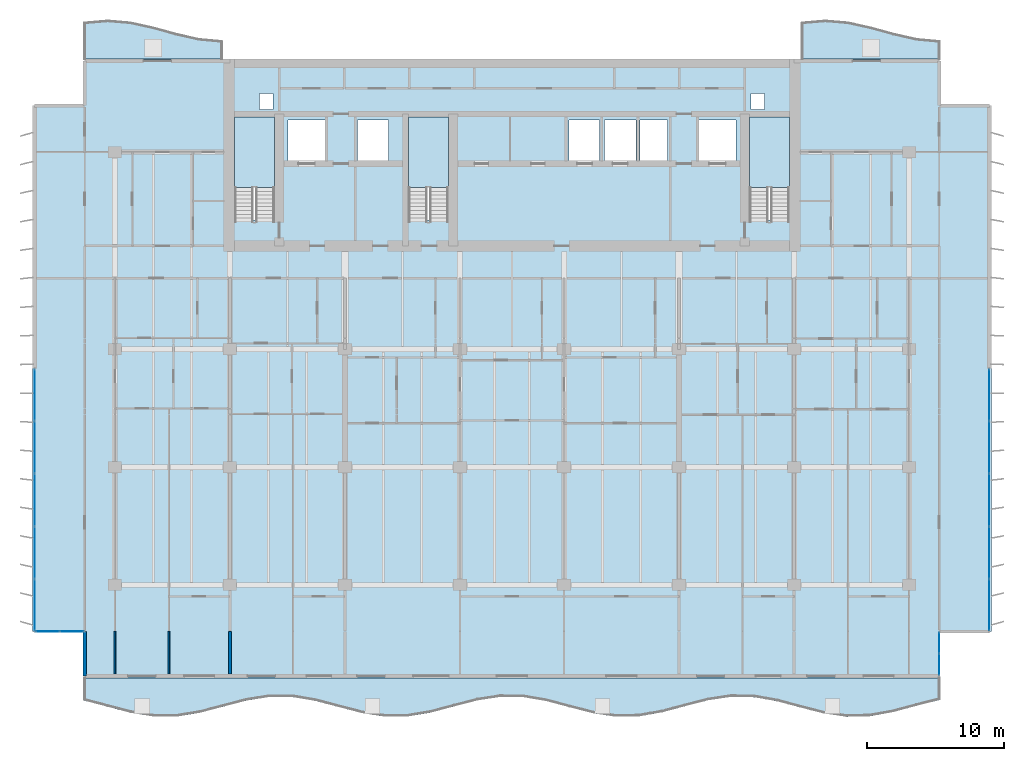
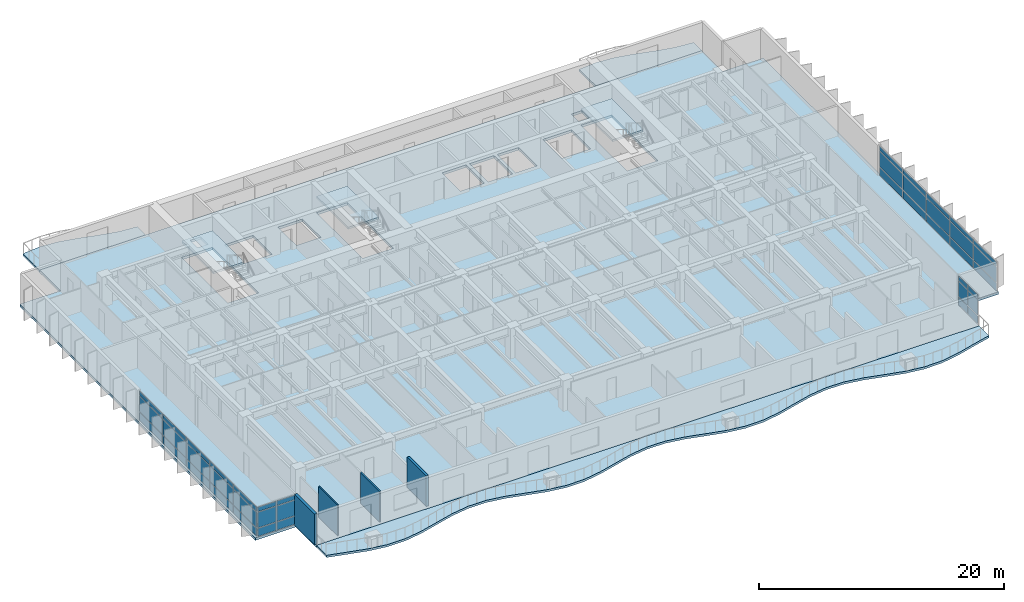
# One storey, part 5 of 17: 42 plates, 7 slabs, 4 walls, 7 elements without a shape of their own.
"""IFC4 building model written with IfcOpenShell, lengths in metres."""

from ifc_helpers import new_model, si_unit, direction, frame, frame_2d, origin, origin_2d, place, context, subcontext, project, spatial, polyline, rectangle, outline, extrude, material, layer, layer_set, type_object, element, aggregate, save


model = new_model("IFC4")

# Units and contexts
model_context = context("Model", 3, precision=1e-05, world=origin(), true_north=direction((0.0, 1.0)))
body_context = subcontext(model_context, "Body", "Model", "MODEL_VIEW")
ifc_project = project(units=[si_unit("LENGTHUNIT", "METRE"), si_unit("AREAUNIT", "SQUARE_METRE"), si_unit("VOLUMEUNIT", "CUBIC_METRE"), si_unit("PLANEANGLEUNIT", "RADIAN"), si_unit("MASSUNIT", "GRAM", prefix="KILO")], contexts=[model_context])

# Site, building, storey
site_placement = place(None, origin())
site = spatial("IfcSite", under=ifc_project, at=site_placement, CompositionType="ELEMENT")
building_placement = place(site_placement, origin())
building = spatial("IfcBuilding", under=site, at=building_placement, Name="Caelmar Bay Residences", CompositionType="ELEMENT")
storey_placement = place(building_placement, frame((0.0, 0.0, 105.89990234375)))
storey = spatial("IfcBuildingStorey", under=building, at=storey_placement, Name="L28", CompositionType="ELEMENT", Elevation=105.89990234375)

# Curtain wall, plates
ifc_material_1 = material(Name="Anodised bronze aluminium 6063-T6 and laminated glass", Category="aluminium")
ifc_layer_1 = layer(ifc_material_1, 0.179931640625)
ifc_layer_set_1 = layer_set([ifc_layer_1], Name="Anodised bronze aluminium 6063-T6 and laminated glass")
curtain_wall_type_1 = type_object("IfcCurtainWallType", Name="CW6-NTC", PredefinedType="NOTDEFINED", material=ifc_layer_set_1)
curtain_wall_1_placement = place(storey_placement, origin())
curtain_wall_1 = element("IfcCurtainWall", 1, at=curtain_wall_1_placement, inside=storey, type_object=curtain_wall_type_1, Name="CW6 curtain wall L28", PredefinedType="NOTDEFINED")
ifc_material_2 = material(Name="Bronze-tinted laminated low-E hurricane glass 28 mm", Category="glass")
ifc_layer_2 = layer(ifc_material_2, 0.028076171875)
ifc_layer_set_2 = layer_set([ifc_layer_2], Name="Bronze-tinted laminated low-E hurricane glass 28 mm")
plate_type = type_object("IfcPlateType", Name="CWP-GLZ28", PredefinedType="CURTAIN_PANEL", material=ifc_layer_set_2)
plate_1_placement = place(storey_placement, frame((4.982421875, 8.800048828125, 0.080078125), z_axis=(0.0, 0.0, 1.0), x_axis=(1.0, 0.0, 0.0)))
plate_1 = element("IfcPlate", 2, at=plate_1_placement, type_object=plate_type, Name="CW6 panel 1.1", PredefinedType="CURTAIN_PANEL", context=body_context, shape_type="SweptSolid", body=[
    extrude(rectangle(XDim=1.705078125, YDim=0.028076171875, at=origin_2d()), origin(), (0.0, 0.0, 1.0), 0.780029296875),
])
plate_2_placement = place(storey_placement, frame((4.982421875, 8.800048828125, 0.940185546875), z_axis=(0.0, 0.0, 1.0), x_axis=(1.0, 0.0, 0.0)))
plate_2 = element("IfcPlate", 3, at=plate_2_placement, type_object=plate_type, Name="CW6 panel 1.2", PredefinedType="CURTAIN_PANEL", context=body_context, shape_type="SweptSolid", body=[
    extrude(rectangle(XDim=1.705078125, YDim=0.028076171875, at=origin_2d()), origin(), (0.0, 0.0, 1.0), 1.52001953125),
])
plate_3_placement = place(storey_placement, frame((4.982421875, 8.800048828125, 2.5400390625), z_axis=(0.0, 0.0, 1.0), x_axis=(1.0, 0.0, 0.0)))
plate_3 = element("IfcPlate", 4, at=plate_3_placement, type_object=plate_type, Name="CW6 panel 1.3", PredefinedType="CURTAIN_PANEL", context=body_context, shape_type="SweptSolid", body=[
    extrude(rectangle(XDim=1.705078125, YDim=0.028076171875, at=origin_2d()), origin(), (0.0, 0.0, 1.0), 0.429931640625),
])
plate_4_placement = place(storey_placement, frame((6.767578125, 8.800048828125, 0.080078125), z_axis=(0.0, 0.0, 1.0), x_axis=(1.0, 0.0, 0.0)))
plate_4 = element("IfcPlate", 5, at=plate_4_placement, type_object=plate_type, Name="CW6 panel 2.1", PredefinedType="CURTAIN_PANEL", context=body_context, shape_type="SweptSolid", body=[
    extrude(rectangle(XDim=1.705078125, YDim=0.028076171875, at=origin_2d()), origin(), (0.0, 0.0, 1.0), 0.780029296875),
])
plate_5_placement = place(storey_placement, frame((6.767578125, 8.800048828125, 0.940185546875), z_axis=(0.0, 0.0, 1.0), x_axis=(1.0, 0.0, 0.0)))
plate_5 = element("IfcPlate", 6, at=plate_5_placement, type_object=plate_type, Name="CW6 panel 2.2", PredefinedType="CURTAIN_PANEL", context=body_context, shape_type="SweptSolid", body=[
    extrude(rectangle(XDim=1.705078125, YDim=0.028076171875, at=origin_2d()), origin(), (0.0, 0.0, 1.0), 1.52001953125),
])
plate_6_placement = place(storey_placement, frame((6.767578125, 8.800048828125, 2.5400390625), z_axis=(0.0, 0.0, 1.0), x_axis=(1.0, 0.0, 0.0)))
plate_6 = element("IfcPlate", 7, at=plate_6_placement, type_object=plate_type, Name="CW6 panel 2.3", PredefinedType="CURTAIN_PANEL", context=body_context, shape_type="SweptSolid", body=[
    extrude(rectangle(XDim=1.705078125, YDim=0.028076171875, at=origin_2d()), origin(), (0.0, 0.0, 1.0), 0.429931640625),
])
aggregate(curtain_wall_1, [plate_1, plate_2, plate_3, plate_4, plate_5, plate_6])

curtain_wall_2_placement = place(storey_placement, origin())
curtain_wall_2 = element("IfcCurtainWall", 8, at=curtain_wall_2_placement, inside=storey, type_object=curtain_wall_type_1, Name="CW6 curtain wall L28", PredefinedType="NOTDEFINED")
plate_7_placement = place(storey_placement, frame((70.10009765625, 6.382568359375, 0.080078125), z_axis=(0.0, 0.0, 1.0), x_axis=(0.0, 1.0, 0.0)))
plate_7 = element("IfcPlate", 9, at=plate_7_placement, type_object=plate_type, Name="CW6 panel 1.1", PredefinedType="CURTAIN_PANEL", context=body_context, shape_type="SweptSolid", body=[
    extrude(rectangle(XDim=1.5048828125, YDim=0.028076171875, at=origin_2d()), origin(), (0.0, 0.0, 1.0), 0.780029296875),
])
plate_8_placement = place(storey_placement, frame((70.10009765625, 6.382568359375, 0.940185546875), z_axis=(0.0, 0.0, 1.0), x_axis=(0.0, 1.0, 0.0)))
plate_8 = element("IfcPlate", 10, at=plate_8_placement, type_object=plate_type, Name="CW6 panel 1.2", PredefinedType="CURTAIN_PANEL", context=body_context, shape_type="SweptSolid", body=[
    extrude(rectangle(XDim=1.5048828125, YDim=0.028076171875, at=origin_2d()), origin(), (0.0, 0.0, 1.0), 1.52001953125),
])
plate_9_placement = place(storey_placement, frame((70.10009765625, 6.382568359375, 2.5400390625), z_axis=(0.0, 0.0, 1.0), x_axis=(0.0, 1.0, 0.0)))
plate_9 = element("IfcPlate", 11, at=plate_9_placement, type_object=plate_type, Name="CW6 panel 1.3", PredefinedType="CURTAIN_PANEL", context=body_context, shape_type="SweptSolid", body=[
    extrude(rectangle(XDim=1.5048828125, YDim=0.028076171875, at=origin_2d()), origin(), (0.0, 0.0, 1.0), 0.429931640625),
])
plate_10_placement = place(storey_placement, frame((70.10009765625, 7.967529296875, 0.080078125), z_axis=(0.0, 0.0, 1.0), x_axis=(0.0, 1.0, 0.0)))
plate_10 = element("IfcPlate", 12, at=plate_10_placement, type_object=plate_type, Name="CW6 panel 2.1", PredefinedType="CURTAIN_PANEL", context=body_context, shape_type="SweptSolid", body=[
    extrude(rectangle(XDim=1.5048828125, YDim=0.028076171875, at=origin_2d()), origin(), (0.0, 0.0, 1.0), 0.780029296875),
])
plate_11_placement = place(storey_placement, frame((70.10009765625, 7.967529296875, 0.940185546875), z_axis=(0.0, 0.0, 1.0), x_axis=(0.0, 1.0, 0.0)))
plate_11 = element("IfcPlate", 13, at=plate_11_placement, type_object=plate_type, Name="CW6 panel 2.2", PredefinedType="CURTAIN_PANEL", context=body_context, shape_type="SweptSolid", body=[
    extrude(rectangle(XDim=1.5048828125, YDim=0.028076171875, at=origin_2d()), origin(), (0.0, 0.0, 1.0), 1.52001953125),
])
plate_12_placement = place(storey_placement, frame((70.10009765625, 7.967529296875, 2.5400390625), z_axis=(0.0, 0.0, 1.0), x_axis=(0.0, 1.0, 0.0)))
plate_12 = element("IfcPlate", 14, at=plate_12_placement, type_object=plate_type, Name="CW6 panel 2.3", PredefinedType="CURTAIN_PANEL", context=body_context, shape_type="SweptSolid", body=[
    extrude(rectangle(XDim=1.5048828125, YDim=0.028076171875, at=origin_2d()), origin(), (0.0, 0.0, 1.0), 0.429931640625),
])
aggregate(curtain_wall_2, [plate_7, plate_8, plate_9, plate_10, plate_11, plate_12])

ifc_layer_3 = layer(ifc_material_1, 0.179931640625)
ifc_layer_set_3 = layer_set([ifc_layer_3], Name="Anodised bronze aluminium 6063-T6 and laminated glass")
curtain_wall_type_2 = type_object("IfcCurtainWallType", Name="CW3-Z2", PredefinedType="NOTDEFINED", material=ifc_layer_set_3)
curtain_wall_3_placement = place(storey_placement, origin())
curtain_wall_3 = element("IfcCurtainWall", 15, at=curtain_wall_3_placement, inside=storey, type_object=curtain_wall_type_2, Name="CW3 curtain wall L28", PredefinedType="NOTDEFINED")
plate_13_placement = place(storey_placement, frame((4.050048828125, 10.739990234375, 0.080078125), z_axis=(0.0, 0.0, 1.0), x_axis=(0.0, 1.0, 0.0)))
plate_13 = element("IfcPlate", 16, at=plate_13_placement, type_object=plate_type, Name="CW3 panel 1.1", PredefinedType="CURTAIN_PANEL", context=body_context, shape_type="SweptSolid", body=[
    extrude(rectangle(XDim=3.719970703125, YDim=0.028076171875, at=origin_2d()), origin(), (0.0, 0.0, 1.0), 0.780029296875),
])
plate_14_placement = place(storey_placement, frame((4.050048828125, 10.739990234375, 0.940185546875), z_axis=(0.0, 0.0, 1.0), x_axis=(0.0, 1.0, 0.0)))
plate_14 = element("IfcPlate", 17, at=plate_14_placement, type_object=plate_type, Name="CW3 panel 1.2", PredefinedType="CURTAIN_PANEL", context=body_context, shape_type="SweptSolid", body=[
    extrude(rectangle(XDim=3.719970703125, YDim=0.028076171875, at=origin_2d()), origin(), (0.0, 0.0, 1.0), 1.52001953125),
])
plate_15_placement = place(storey_placement, frame((4.050048828125, 10.739990234375, 2.5400390625), z_axis=(0.0, 0.0, 1.0), x_axis=(0.0, 1.0, 0.0)))
plate_15 = element("IfcPlate", 18, at=plate_15_placement, type_object=plate_type, Name="CW3 panel 1.3", PredefinedType="CURTAIN_PANEL", context=body_context, shape_type="SweptSolid", body=[
    extrude(rectangle(XDim=3.719970703125, YDim=0.028076171875, at=origin_2d()), origin(), (0.0, 0.0, 1.0), 0.429931640625),
])
plate_16_placement = place(storey_placement, frame((4.050048828125, 14.56005859375, 0.080078125), z_axis=(0.0, 0.0, 1.0), x_axis=(0.0, 1.0, 0.0)))
plate_16 = element("IfcPlate", 19, at=plate_16_placement, type_object=plate_type, Name="CW3 panel 2.1", PredefinedType="CURTAIN_PANEL", context=body_context, shape_type="SweptSolid", body=[
    extrude(rectangle(XDim=3.760009765625, YDim=0.028076171875, at=origin_2d()), origin(), (0.0, 0.0, 1.0), 0.780029296875),
])
plate_17_placement = place(storey_placement, frame((4.050048828125, 14.56005859375, 0.940185546875), z_axis=(0.0, 0.0, 1.0), x_axis=(0.0, 1.0, 0.0)))
plate_17 = element("IfcPlate", 20, at=plate_17_placement, type_object=plate_type, Name="CW3 panel 2.2", PredefinedType="CURTAIN_PANEL", context=body_context, shape_type="SweptSolid", body=[
    extrude(rectangle(XDim=3.760009765625, YDim=0.028076171875, at=origin_2d()), origin(), (0.0, 0.0, 1.0), 1.52001953125),
])
plate_18_placement = place(storey_placement, frame((4.050048828125, 14.56005859375, 2.5400390625), z_axis=(0.0, 0.0, 1.0), x_axis=(0.0, 1.0, 0.0)))
plate_18 = element("IfcPlate", 21, at=plate_18_placement, type_object=plate_type, Name="CW3 panel 2.3", PredefinedType="CURTAIN_PANEL", context=body_context, shape_type="SweptSolid", body=[
    extrude(rectangle(XDim=3.760009765625, YDim=0.028076171875, at=origin_2d()), origin(), (0.0, 0.0, 1.0), 0.429931640625),
])
plate_19_placement = place(storey_placement, frame((4.050048828125, 18.39990234375, 0.080078125), z_axis=(0.0, 0.0, 1.0), x_axis=(0.0, 1.0, 0.0)))
plate_19 = element("IfcPlate", 22, at=plate_19_placement, type_object=plate_type, Name="CW3 panel 3.1", PredefinedType="CURTAIN_PANEL", context=body_context, shape_type="SweptSolid", body=[
    extrude(rectangle(XDim=3.760009765625, YDim=0.028076171875, at=origin_2d()), origin(), (0.0, 0.0, 1.0), 0.780029296875),
])
plate_20_placement = place(storey_placement, frame((4.050048828125, 18.39990234375, 0.940185546875), z_axis=(0.0, 0.0, 1.0), x_axis=(0.0, 1.0, 0.0)))
plate_20 = element("IfcPlate", 23, at=plate_20_placement, type_object=plate_type, Name="CW3 panel 3.2", PredefinedType="CURTAIN_PANEL", context=body_context, shape_type="SweptSolid", body=[
    extrude(rectangle(XDim=3.760009765625, YDim=0.028076171875, at=origin_2d()), origin(), (0.0, 0.0, 1.0), 1.52001953125),
])
plate_21_placement = place(storey_placement, frame((4.050048828125, 18.39990234375, 2.5400390625), z_axis=(0.0, 0.0, 1.0), x_axis=(0.0, 1.0, 0.0)))
plate_21 = element("IfcPlate", 24, at=plate_21_placement, type_object=plate_type, Name="CW3 panel 3.3", PredefinedType="CURTAIN_PANEL", context=body_context, shape_type="SweptSolid", body=[
    extrude(rectangle(XDim=3.760009765625, YDim=0.028076171875, at=origin_2d()), origin(), (0.0, 0.0, 1.0), 0.429931640625),
])
plate_22_placement = place(storey_placement, frame((4.050048828125, 22.239990234375, 0.080078125), z_axis=(0.0, 0.0, 1.0), x_axis=(0.0, 1.0, 0.0)))
plate_22 = element("IfcPlate", 25, at=plate_22_placement, type_object=plate_type, Name="CW3 panel 4.1", PredefinedType="CURTAIN_PANEL", context=body_context, shape_type="SweptSolid", body=[
    extrude(rectangle(XDim=3.760009765625, YDim=0.028076171875, at=origin_2d()), origin(), (0.0, 0.0, 1.0), 0.780029296875),
])
plate_23_placement = place(storey_placement, frame((4.050048828125, 22.239990234375, 0.940185546875), z_axis=(0.0, 0.0, 1.0), x_axis=(0.0, 1.0, 0.0)))
plate_23 = element("IfcPlate", 26, at=plate_23_placement, type_object=plate_type, Name="CW3 panel 4.2", PredefinedType="CURTAIN_PANEL", context=body_context, shape_type="SweptSolid", body=[
    extrude(rectangle(XDim=3.760009765625, YDim=0.028076171875, at=origin_2d()), origin(), (0.0, 0.0, 1.0), 1.52001953125),
])
plate_24_placement = place(storey_placement, frame((4.050048828125, 22.239990234375, 2.5400390625), z_axis=(0.0, 0.0, 1.0), x_axis=(0.0, 1.0, 0.0)))
plate_24 = element("IfcPlate", 27, at=plate_24_placement, type_object=plate_type, Name="CW3 panel 4.3", PredefinedType="CURTAIN_PANEL", context=body_context, shape_type="SweptSolid", body=[
    extrude(rectangle(XDim=3.760009765625, YDim=0.028076171875, at=origin_2d()), origin(), (0.0, 0.0, 1.0), 0.429931640625),
])
plate_25_placement = place(storey_placement, frame((4.050048828125, 26.06005859375, 0.080078125), z_axis=(0.0, 0.0, 1.0), x_axis=(0.0, 1.0, 0.0)))
plate_25 = element("IfcPlate", 28, at=plate_25_placement, type_object=plate_type, Name="CW3 panel 5.1", PredefinedType="CURTAIN_PANEL", context=body_context, shape_type="SweptSolid", body=[
    extrude(rectangle(XDim=3.719970703125, YDim=0.028076171875, at=origin_2d()), origin(), (0.0, 0.0, 1.0), 0.780029296875),
])
plate_26_placement = place(storey_placement, frame((4.050048828125, 26.06005859375, 0.940185546875), z_axis=(0.0, 0.0, 1.0), x_axis=(0.0, 1.0, 0.0)))
plate_26 = element("IfcPlate", 29, at=plate_26_placement, type_object=plate_type, Name="CW3 panel 5.2", PredefinedType="CURTAIN_PANEL", context=body_context, shape_type="SweptSolid", body=[
    extrude(rectangle(XDim=3.719970703125, YDim=0.028076171875, at=origin_2d()), origin(), (0.0, 0.0, 1.0), 1.52001953125),
])
plate_27_placement = place(storey_placement, frame((4.050048828125, 26.06005859375, 2.5400390625), z_axis=(0.0, 0.0, 1.0), x_axis=(0.0, 1.0, 0.0)))
plate_27 = element("IfcPlate", 30, at=plate_27_placement, type_object=plate_type, Name="CW3 panel 5.3", PredefinedType="CURTAIN_PANEL", context=body_context, shape_type="SweptSolid", body=[
    extrude(rectangle(XDim=3.719970703125, YDim=0.028076171875, at=origin_2d()), origin(), (0.0, 0.0, 1.0), 0.429931640625),
])
aggregate(curtain_wall_3, [plate_13, plate_14, plate_15, plate_16, plate_17, plate_18, plate_19, plate_20, plate_21, plate_22, plate_23, plate_24, plate_25, plate_26, plate_27])

curtain_wall_4_placement = place(storey_placement, origin())
curtain_wall_4 = element("IfcCurtainWall", 31, at=curtain_wall_4_placement, inside=storey, type_object=curtain_wall_type_2, Name="CW3 curtain wall L28", PredefinedType="NOTDEFINED")
plate_28_placement = place(storey_placement, frame((73.75, 26.06005859375, 0.080078125), z_axis=(0.0, 0.0, 1.0), x_axis=(0.0, -1.0, 0.0)))
plate_28 = element("IfcPlate", 32, at=plate_28_placement, type_object=plate_type, Name="CW3 panel 1.1", PredefinedType="CURTAIN_PANEL", context=body_context, shape_type="SweptSolid", body=[
    extrude(rectangle(XDim=3.719970703125, YDim=0.028076171875, at=origin_2d()), origin(), (0.0, 0.0, 1.0), 0.780029296875),
])
plate_29_placement = place(storey_placement, frame((73.75, 26.06005859375, 0.940185546875), z_axis=(0.0, 0.0, 1.0), x_axis=(0.0, -1.0, 0.0)))
plate_29 = element("IfcPlate", 33, at=plate_29_placement, type_object=plate_type, Name="CW3 panel 1.2", PredefinedType="CURTAIN_PANEL", context=body_context, shape_type="SweptSolid", body=[
    extrude(rectangle(XDim=3.719970703125, YDim=0.028076171875, at=origin_2d()), origin(), (0.0, 0.0, 1.0), 1.52001953125),
])
plate_30_placement = place(storey_placement, frame((73.75, 26.06005859375, 2.5400390625), z_axis=(0.0, 0.0, 1.0), x_axis=(0.0, -1.0, 0.0)))
plate_30 = element("IfcPlate", 34, at=plate_30_placement, type_object=plate_type, Name="CW3 panel 1.3", PredefinedType="CURTAIN_PANEL", context=body_context, shape_type="SweptSolid", body=[
    extrude(rectangle(XDim=3.719970703125, YDim=0.028076171875, at=origin_2d()), origin(), (0.0, 0.0, 1.0), 0.429931640625),
])
plate_31_placement = place(storey_placement, frame((73.75, 22.239990234375, 0.080078125), z_axis=(0.0, 0.0, 1.0), x_axis=(0.0, -1.0, 0.0)))
plate_31 = element("IfcPlate", 35, at=plate_31_placement, type_object=plate_type, Name="CW3 panel 2.1", PredefinedType="CURTAIN_PANEL", context=body_context, shape_type="SweptSolid", body=[
    extrude(rectangle(XDim=3.760009765625, YDim=0.028076171875, at=origin_2d()), origin(), (0.0, 0.0, 1.0), 0.780029296875),
])
plate_32_placement = place(storey_placement, frame((73.75, 22.239990234375, 0.940185546875), z_axis=(0.0, 0.0, 1.0), x_axis=(0.0, -1.0, 0.0)))
plate_32 = element("IfcPlate", 36, at=plate_32_placement, type_object=plate_type, Name="CW3 panel 2.2", PredefinedType="CURTAIN_PANEL", context=body_context, shape_type="SweptSolid", body=[
    extrude(rectangle(XDim=3.760009765625, YDim=0.028076171875, at=origin_2d()), origin(), (0.0, 0.0, 1.0), 1.52001953125),
])
plate_33_placement = place(storey_placement, frame((73.75, 22.239990234375, 2.5400390625), z_axis=(0.0, 0.0, 1.0), x_axis=(0.0, -1.0, 0.0)))
plate_33 = element("IfcPlate", 37, at=plate_33_placement, type_object=plate_type, Name="CW3 panel 2.3", PredefinedType="CURTAIN_PANEL", context=body_context, shape_type="SweptSolid", body=[
    extrude(rectangle(XDim=3.760009765625, YDim=0.028076171875, at=origin_2d()), origin(), (0.0, 0.0, 1.0), 0.429931640625),
])
plate_34_placement = place(storey_placement, frame((73.75, 18.39990234375, 0.080078125), z_axis=(0.0, 0.0, 1.0), x_axis=(0.0, -1.0, 0.0)))
plate_34 = element("IfcPlate", 38, at=plate_34_placement, type_object=plate_type, Name="CW3 panel 3.1", PredefinedType="CURTAIN_PANEL", context=body_context, shape_type="SweptSolid", body=[
    extrude(rectangle(XDim=3.760009765625, YDim=0.028076171875, at=origin_2d()), origin(), (0.0, 0.0, 1.0), 0.780029296875),
])
plate_35_placement = place(storey_placement, frame((73.75, 18.39990234375, 0.940185546875), z_axis=(0.0, 0.0, 1.0), x_axis=(0.0, -1.0, 0.0)))
plate_35 = element("IfcPlate", 39, at=plate_35_placement, type_object=plate_type, Name="CW3 panel 3.2", PredefinedType="CURTAIN_PANEL", context=body_context, shape_type="SweptSolid", body=[
    extrude(rectangle(XDim=3.760009765625, YDim=0.028076171875, at=origin_2d()), origin(), (0.0, 0.0, 1.0), 1.52001953125),
])
plate_36_placement = place(storey_placement, frame((73.75, 18.39990234375, 2.5400390625), z_axis=(0.0, 0.0, 1.0), x_axis=(0.0, -1.0, 0.0)))
plate_36 = element("IfcPlate", 40, at=plate_36_placement, type_object=plate_type, Name="CW3 panel 3.3", PredefinedType="CURTAIN_PANEL", context=body_context, shape_type="SweptSolid", body=[
    extrude(rectangle(XDim=3.760009765625, YDim=0.028076171875, at=origin_2d()), origin(), (0.0, 0.0, 1.0), 0.429931640625),
])
plate_37_placement = place(storey_placement, frame((73.75, 14.56005859375, 0.080078125), z_axis=(0.0, 0.0, 1.0), x_axis=(0.0, -1.0, 0.0)))
plate_37 = element("IfcPlate", 41, at=plate_37_placement, type_object=plate_type, Name="CW3 panel 4.1", PredefinedType="CURTAIN_PANEL", context=body_context, shape_type="SweptSolid", body=[
    extrude(rectangle(XDim=3.760009765625, YDim=0.028076171875, at=origin_2d()), origin(), (0.0, 0.0, 1.0), 0.780029296875),
])
plate_38_placement = place(storey_placement, frame((73.75, 14.56005859375, 0.940185546875), z_axis=(0.0, 0.0, 1.0), x_axis=(0.0, -1.0, 0.0)))
plate_38 = element("IfcPlate", 42, at=plate_38_placement, type_object=plate_type, Name="CW3 panel 4.2", PredefinedType="CURTAIN_PANEL", context=body_context, shape_type="SweptSolid", body=[
    extrude(rectangle(XDim=3.760009765625, YDim=0.028076171875, at=origin_2d()), origin(), (0.0, 0.0, 1.0), 1.52001953125),
])
plate_39_placement = place(storey_placement, frame((73.75, 14.56005859375, 2.5400390625), z_axis=(0.0, 0.0, 1.0), x_axis=(0.0, -1.0, 0.0)))
plate_39 = element("IfcPlate", 43, at=plate_39_placement, type_object=plate_type, Name="CW3 panel 4.3", PredefinedType="CURTAIN_PANEL", context=body_context, shape_type="SweptSolid", body=[
    extrude(rectangle(XDim=3.760009765625, YDim=0.028076171875, at=origin_2d()), origin(), (0.0, 0.0, 1.0), 0.429931640625),
])
plate_40_placement = place(storey_placement, frame((73.75, 10.739990234375, 0.080078125), z_axis=(0.0, 0.0, 1.0), x_axis=(0.0, -1.0, 0.0)))
plate_40 = element("IfcPlate", 44, at=plate_40_placement, type_object=plate_type, Name="CW3 panel 5.1", PredefinedType="CURTAIN_PANEL", context=body_context, shape_type="SweptSolid", body=[
    extrude(rectangle(XDim=3.719970703125, YDim=0.028076171875, at=origin_2d()), origin(), (0.0, 0.0, 1.0), 0.780029296875),
])
plate_41_placement = place(storey_placement, frame((73.75, 10.739990234375, 0.940185546875), z_axis=(0.0, 0.0, 1.0), x_axis=(0.0, -1.0, 0.0)))
plate_41 = element("IfcPlate", 45, at=plate_41_placement, type_object=plate_type, Name="CW3 panel 5.2", PredefinedType="CURTAIN_PANEL", context=body_context, shape_type="SweptSolid", body=[
    extrude(rectangle(XDim=3.719970703125, YDim=0.028076171875, at=origin_2d()), origin(), (0.0, 0.0, 1.0), 1.52001953125),
])
plate_42_placement = place(storey_placement, frame((73.75, 10.739990234375, 2.5400390625), z_axis=(0.0, 0.0, 1.0), x_axis=(0.0, -1.0, 0.0)))
plate_42 = element("IfcPlate", 46, at=plate_42_placement, type_object=plate_type, Name="CW3 panel 5.3", PredefinedType="CURTAIN_PANEL", context=body_context, shape_type="SweptSolid", body=[
    extrude(rectangle(XDim=3.719970703125, YDim=0.028076171875, at=origin_2d()), origin(), (0.0, 0.0, 1.0), 0.429931640625),
])
aggregate(curtain_wall_4, [plate_28, plate_29, plate_30, plate_31, plate_32, plate_33, plate_34, plate_35, plate_36, plate_37, plate_38, plate_39, plate_40, plate_41, plate_42])

# Slabs
ifc_material_3 = material(Name="Concrete f'c 40 MPa (6,000 psi)", Category="concrete")
ifc_layer_4 = layer(ifc_material_3, 0.219970703125)
ifc_layer_set_4 = layer_set([ifc_layer_4], Name="Concrete f'c 40 MPa (6,000 psi)")
slab_type_1 = type_object("IfcSlabType", Name="SLB-BAL-220", PredefinedType="FLOOR", material=ifc_layer_set_4)
slab_1_placement = place(storey_placement, frame((0.0, 0.0, -0.219970703125)))
element("IfcSlab", 47, at=slab_1_placement, inside=storey, type_object=slab_type_1, Name="L28 Sinusoidal Tree-Balcony Slab south", PredefinedType="FLOOR", context=body_context, shape_type="SweptSolid", body=[
    extrude(outline(polyline([(7.699951171875, 3.74072265625), (9.386474609375, 3.298095703125), (11.072998046875, 2.856201171875), (12.759521484375, 2.5849609375), (14.44580078125, 2.589111328125), (16.13232421875, 2.866455078125), (17.81884765625, 3.310791015625), (19.50537109375, 3.751220703125), (21.19189453125, 4.017578125), (22.87841796875, 4.008056640625), (24.56494140625, 3.72607421875), (26.25146484375, 3.280029296875), (27.937744140625, 2.841796875), (29.624267578125, 2.579833984375), (31.310791015625, 2.594970703125), (32.997314453125, 2.881591796875), (34.683837890625, 3.3291015625), (36.370361328125, 3.765380859375), (38.056884765625, 4.022705078125), (39.7431640625, 4.001953125), (41.4296875, 3.7109375), (43.1162109375, 3.26171875), (44.802734375, 2.827392578125), (46.4892578125, 2.574951171875), (48.17578125, 2.601318359375), (49.8623046875, 2.896728515625), (51.548583984375, 3.347412109375), (53.235107421875, 3.779541015625), (54.921630859375, 4.02734375), (56.608154296875, 3.9951171875), (58.294677734375, 3.695556640625), (59.981201171875, 3.24365234375), (61.66748046875, 2.8134765625), (63.35400390625, 2.570556640625), (65.04052734375, 2.608154296875), (66.72705078125, 2.912109375), (68.41357421875, 3.365478515625), (70.10009765625, 3.79345703125), (70.10009765625, 5.39990234375), (7.699951171875, 5.39990234375), (7.699951171875, 3.74072265625)])), origin(), (0.0, 0.0, 1.0), 0.219970703125),
])
slab_2_placement = place(storey_placement, frame((0.0, 0.0, -0.219970703125)))
element("IfcSlab", 48, at=slab_2_placement, inside=storey, type_object=slab_type_1, Name="L28 Sinusoidal Tree-Balcony Slab north_west", PredefinedType="FLOOR", context=body_context, shape_type="SweptSolid", body=[
    extrude(outline(polyline([(7.699951171875, 50.60009765625), (17.699951171875, 50.60009765625), (17.699951171875, 51.9501953125), (16.033203125, 52.1044921875), (14.36669921875, 52.482421875), (12.699951171875, 52.9423828125), (11.033203125, 53.31103515625), (9.36669921875, 53.449951171875), (7.699951171875, 53.306884765625), (7.699951171875, 50.60009765625)])), origin(), (0.0, 0.0, 1.0), 0.219970703125),
])
slab_3_placement = place(storey_placement, frame((0.0, 0.0, -0.219970703125)))
element("IfcSlab", 49, at=slab_3_placement, inside=storey, type_object=slab_type_1, Name="L28 Sinusoidal Tree-Balcony Slab north_east", PredefinedType="FLOOR", context=body_context, shape_type="SweptSolid", body=[
    extrude(outline(polyline([(60.10009765625, 50.60009765625), (70.10009765625, 50.60009765625), (70.10009765625, 51.9501953125), (68.433349609375, 52.1044921875), (66.7666015625, 52.482421875), (65.10009765625, 52.9423828125), (63.433349609375, 53.31103515625), (61.7666015625, 53.449951171875), (60.10009765625, 53.306884765625), (60.10009765625, 50.60009765625)])), origin(), (0.0, 0.0, 1.0), 0.219970703125),
])

# Stair, slab
stair_type = type_object("IfcStairType", Name="ST-TYP-165", PredefinedType="HALF_TURN_STAIR", material=ifc_material_3)
stair_1_placement = place(storey_placement, origin())
stair_1 = element("IfcStair", 50, at=stair_1_placement, inside=storey, type_object=stair_type, Name="L28 West Smokeproof Exit Stair ST1", PredefinedType="HALF_TURN_STAIR")
ifc_layer_5 = layer(ifc_material_3, 0.199951171875)
ifc_layer_set_5 = layer_set([ifc_layer_5], Name="Concrete f'c 40 MPa (6,000 psi)")
slab_type_2 = type_object("IfcSlabType", Name="SLB-LND-200", PredefinedType="LANDING", material=ifc_layer_set_5)
slab_4_placement = place(storey_placement, frame((0.0, 0.0, 1.4501953125)))
slab_4 = element("IfcSlab", 51, at=slab_4_placement, type_object=slab_type_2, Name="ST1 landing 1", PredefinedType="LANDING", context=body_context, shape_type="SweptSolid", body=[
    extrude(outline(polyline([(21.550048828125, 41.219970703125), (21.550048828125, 46.35009765625), (18.64990234375, 46.35009765625), (18.64990234375, 41.219970703125), (21.550048828125, 41.219970703125)])), origin(), (0.0, 0.0, 1.0), 0.199951171875),
])
aggregate(stair_1, [slab_4])

stair_2_placement = place(storey_placement, origin())
stair_2 = element("IfcStair", 52, at=stair_2_placement, inside=storey, type_object=stair_type, Name="L28 East Smokeproof Exit Stair ST2", PredefinedType="HALF_TURN_STAIR")
slab_5_placement = place(storey_placement, frame((0.0, 0.0, 1.4501953125)))
slab_5 = element("IfcSlab", 53, at=slab_5_placement, type_object=slab_type_2, Name="ST2 landing 1", PredefinedType="LANDING", context=body_context, shape_type="SweptSolid", body=[
    extrude(outline(polyline([(59.14990234375, 41.219970703125), (59.14990234375, 46.35009765625), (56.25, 46.35009765625), (56.25, 41.219970703125), (59.14990234375, 41.219970703125)])), origin(), (0.0, 0.0, 1.0), 0.199951171875),
])
aggregate(stair_2, [slab_5])

stair_3_placement = place(storey_placement, origin())
stair_3 = element("IfcStair", 54, at=stair_3_placement, inside=storey, type_object=stair_type, Name="L28 Central Smokeproof Exit Stair ST3", PredefinedType="HALF_TURN_STAIR")
slab_6_placement = place(storey_placement, frame((0.0, 0.0, 1.4501953125)))
slab_6 = element("IfcSlab", 55, at=slab_6_placement, type_object=slab_type_2, Name="ST3 landing 1", PredefinedType="LANDING", context=body_context, shape_type="SweptSolid", body=[
    extrude(outline(polyline([(34.25, 41.219970703125), (34.25, 46.35009765625), (31.35009765625, 46.35009765625), (31.35009765625, 41.219970703125), (34.25, 41.219970703125)])), origin(), (0.0, 0.0, 1.0), 0.199951171875),
])
aggregate(stair_3, [slab_6])

# Slab
ifc_layer_6 = layer(ifc_material_3, 0.25)
ifc_layer_set_6 = layer_set([ifc_layer_6], Name="Concrete f'c 40 MPa (6,000 psi)")
slab_type_3 = type_object("IfcSlabType", Name="SLB-RES-250", PredefinedType="FLOOR", material=ifc_layer_set_6)
slab_7_placement = place(storey_placement, frame((0.0, 0.0, -0.25)))
element("IfcSlab", 56, at=slab_7_placement, inside=storey, type_object=slab_type_3, Name="L28 Structural Floor Slab", PredefinedType="FLOOR", context=body_context, shape_type="SweptSolid", body=[
    extrude(outline(polyline([(7.699951171875, 5.39990234375), (70.10009765625, 5.39990234375), (70.10009765625, 8.800048828125), (73.89990234375, 8.800048828125), (73.89990234375, 47.199951171875), (70.10009765625, 47.199951171875), (70.10009765625, 50.60009765625), (7.699951171875, 50.60009765625), (7.699951171875, 47.199951171875), (3.89990234375, 47.199951171875), (3.89990234375, 8.800048828125), (7.699951171875, 8.800048828125), (7.699951171875, 5.39990234375)]), holes=[polyline([(18.64990234375, 38.85009765625), (21.550048828125, 38.85009765625), (21.550048828125, 46.35009765625), (18.64990234375, 46.35009765625), (18.64990234375, 38.85009765625)]), polyline([(56.25, 38.85009765625), (59.14990234375, 38.85009765625), (59.14990234375, 46.35009765625), (56.25, 46.35009765625), (56.25, 38.85009765625)]), polyline([(31.35009765625, 38.85009765625), (34.25, 38.85009765625), (34.25, 46.35009765625), (31.35009765625, 46.35009765625), (31.35009765625, 38.85009765625)]), polyline([(22.550048828125, 43.050048828125), (25.25, 43.050048828125), (25.25, 46.14990234375), (22.550048828125, 46.14990234375), (22.550048828125, 43.050048828125)]), polyline([(52.550048828125, 43.050048828125), (55.25, 43.050048828125), (55.25, 46.14990234375), (52.550048828125, 46.14990234375), (52.550048828125, 43.050048828125)]), polyline([(43.050048828125, 43.14990234375), (45.300048828125, 43.14990234375), (45.300048828125, 46.14990234375), (43.050048828125, 46.14990234375), (43.050048828125, 43.14990234375)]), polyline([(45.64990234375, 43.14990234375), (47.949951171875, 43.14990234375), (47.949951171875, 46.14990234375), (45.64990234375, 46.14990234375), (45.64990234375, 43.14990234375)]), polyline([(48.25, 43.14990234375), (50.25, 43.14990234375), (50.25, 46.14990234375), (48.25, 46.14990234375), (48.25, 43.14990234375)]), polyline([(27.60009765625, 43.14990234375), (29.89990234375, 43.14990234375), (29.89990234375, 46.14990234375), (27.60009765625, 46.14990234375), (27.60009765625, 43.14990234375)]), polyline([(20.449951171875, 46.89990234375), (21.449951171875, 46.89990234375), (21.449951171875, 48.10009765625), (20.449951171875, 48.10009765625), (20.449951171875, 46.89990234375)]), polyline([(56.35009765625, 46.89990234375), (57.35009765625, 46.89990234375), (57.35009765625, 48.10009765625), (56.35009765625, 48.10009765625), (56.35009765625, 46.89990234375)])]), origin(), (0.0, 0.0, 1.0), 0.25),
])

# Walls
ifc_material_4 = material(Name="Precast concrete f'c 40 MPa (6,000 psi)", Category="concrete")
ifc_layer_7 = layer(ifc_material_4, 0.25)
ifc_layer_set_7 = layer_set([ifc_layer_7], Name="Precast concrete f'c 40 MPa (6,000 psi)")
wall_type_1 = type_object("IfcWallType", Name="W-EXT-250", PredefinedType="ELEMENTEDWALL", material=ifc_layer_set_7)
wall_1_placement = place(storey_placement, frame((7.699951171875, 8.800048828125, 0.0), z_axis=(0.0, 0.0, 1.0), x_axis=(0.0, -1.0, 0.0)))
element("IfcWall", 57, at=wall_1_placement, inside=storey, type_object=wall_type_1, Name="L28 SW Notch Return Wall", PredefinedType="ELEMENTEDWALL", context=body_context, shape_type="SweptSolid", body=[
    extrude(rectangle(XDim=3.25, YDim=0.25, at=frame_2d((1.625, 0.0))), origin(), (0.0, 0.0, 1.0), 3.050048828125),
])
ifc_material_5 = material(Name="Acoustic metal-stud gypsum partition 120 mm")
ifc_layer_8 = layer(ifc_material_5, 0.1201171875)
ifc_layer_set_8 = layer_set([ifc_layer_8], Name="Acoustic metal-stud gypsum partition 120 mm")
wall_type_2 = type_object("IfcWallType", Name="W-PRT-120", PredefinedType="PARTITIONING", material=ifc_layer_set_8)
for number, where, z_axis, x_axis, name in (
    (58, (9.89990234375, 5.695068359375, 0.0), (0.0, 0.0, 1.0), (0.0, 1.0, 0.0), "L28 Partition Wall V009"),
    (59, (13.847900390625, 5.695068359375, 0.0), (0.0, 0.0, 1.0), (0.0, 1.0, 0.0), "L28 Partition Wall V016"),
):
    element("IfcWall", number, at=place(storey_placement, frame(where, z_axis=z_axis, x_axis=x_axis)), inside=storey, type_object=wall_type_2, Name=name, PredefinedType="PARTITIONING", context=body_context, shape_type="SweptSolid", body=[
        extrude(rectangle(XDim=3.10498046875, YDim=0.1201171875, at=frame_2d((1.552490234375, 0.0))), origin(), (0.0, 0.0, 1.0), 3.050048828125),
    ])
ifc_material_6 = material(Name="Acoustic twin-stud fire-rated inter-tenancy partition 200 mm")
ifc_layer_9 = layer(ifc_material_6, 0.199951171875)
ifc_layer_set_9 = layer_set([ifc_layer_9], Name="Acoustic twin-stud fire-rated inter-tenancy partition 200 mm")
wall_type_3 = type_object("IfcWallType", Name="W-PTY-200", PredefinedType="PARTITIONING", material=ifc_layer_set_9)
wall_2_placement = place(storey_placement, frame((18.300048828125, 5.695068359375, 0.0), z_axis=(0.0, 0.0, 1.0), x_axis=(0.0, 1.0, 0.0)))
element("IfcWall", 60, at=wall_2_placement, inside=storey, type_object=wall_type_3, Name="L28 Partition Wall V023", PredefinedType="PARTITIONING", context=body_context, shape_type="SweptSolid", body=[
    extrude(rectangle(XDim=3.10498046875, YDim=0.199951171875, at=frame_2d((1.552490234375, 0.0))), origin(), (0.0, 0.0, 1.0), 3.050048828125),
])

save(model, "model.ifc")
